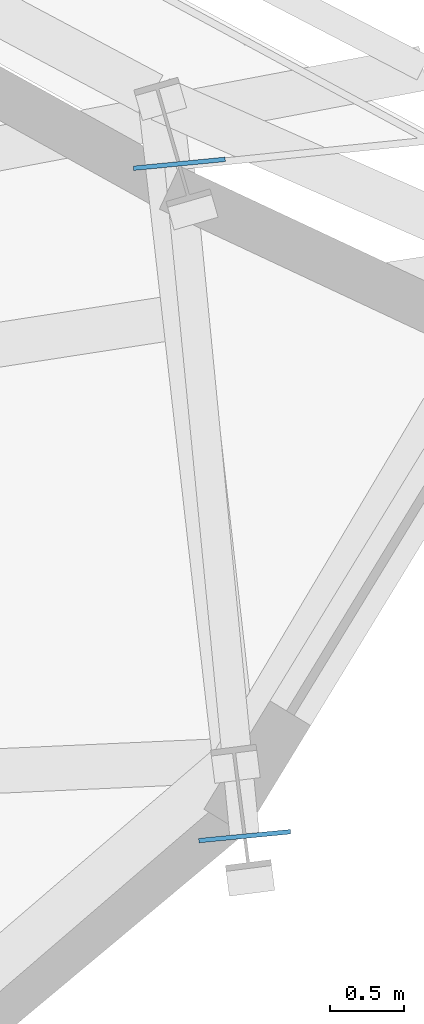
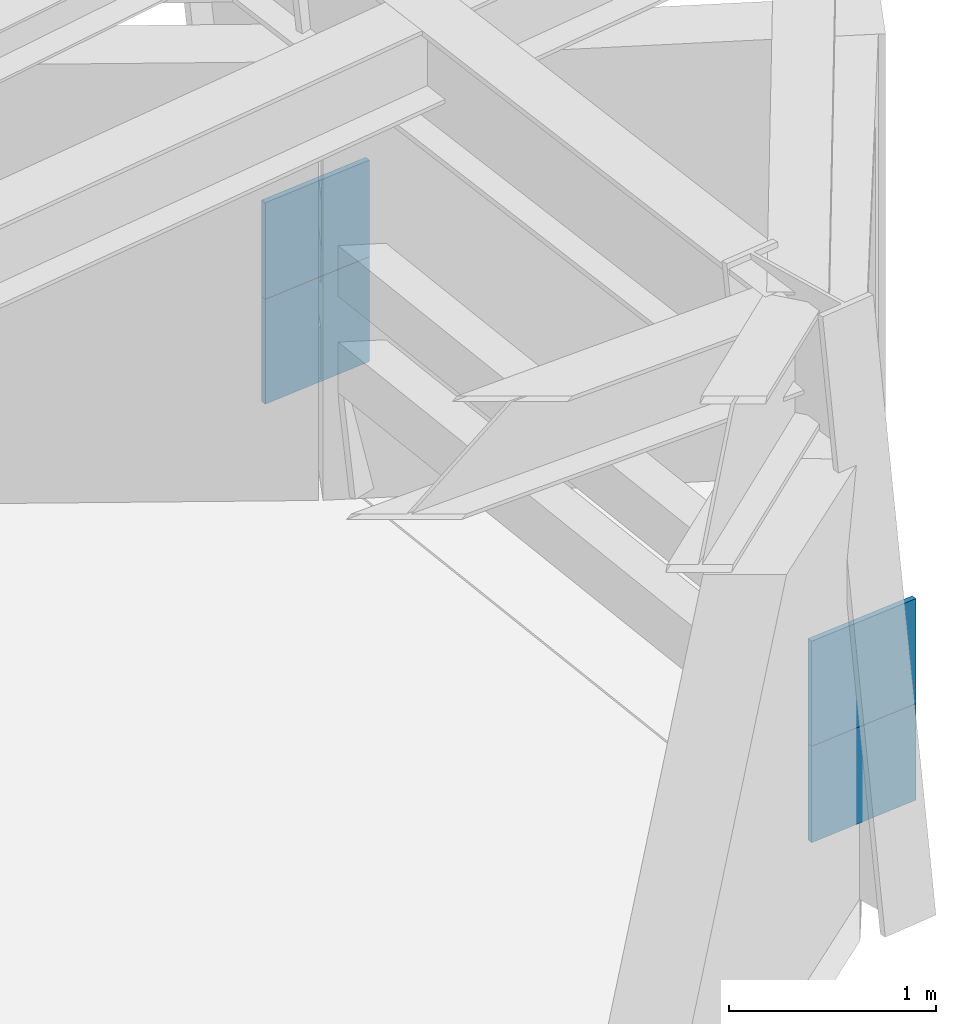
# One storey, part 13 of 22: 4 plates.
"""IFC4 building model written with IfcOpenShell, lengths in metres."""

from ifc_helpers import new_model, si_unit, direction, frame, origin, origin_2d, place, context, subcontext, project, spatial, rectangle, extrude, source, transform, mapped, material, type_object, element, save


model = new_model("IFC4")

# Units and contexts
model_context = context("Model", 3, precision=1e-05, world=origin(), true_north=direction((0.0, 1.0)))
body_context = subcontext(model_context, "Body", "Model", "MODEL_VIEW")
ifc_project = project(units=[si_unit("LENGTHUNIT", "METRE"), si_unit("AREAUNIT", "SQUARE_METRE"), si_unit("VOLUMEUNIT", "CUBIC_METRE"), si_unit("PLANEANGLEUNIT", "RADIAN"), si_unit("MASSUNIT", "GRAM", prefix="KILO")], contexts=[model_context])

# Site, building, storey
site_placement = place(None, origin())
site = spatial("IfcSite", under=ifc_project, at=site_placement, CompositionType="ELEMENT")
building_placement = place(site_placement, origin())
building = spatial("IfcBuilding", under=site, at=building_placement, Name="Olszyna Solenne Hotel", CompositionType="ELEMENT")
storey_placement = place(building_placement, frame((0.0, 0.0, 57.699951171875)))
storey = spatial("IfcBuildingStorey", under=building, at=storey_placement, Name="L14", CompositionType="ELEMENT", Elevation=57.699951171875)

# Plates
ifc_material = material(Name="Steel S460M", Category="steel")
plate_type = type_object("IfcPlateType", Name="GP-CAP2", PredefinedType="USERDEFINED", material=ifc_material)
shared_shape = source(origin(), body_context, "Body", "SweptSolid", [
    extrude(rectangle(XDim=0.030029296875, YDim=0.6201171875, at=origin_2d()), origin(), (0.0, 0.0, 1.0), 0.6201171875),
])
for number, where, z_axis, x_axis, name in (
    (1, (68.694580078125, 27.46875, 1.0400390625), (0.0, 0.0, 1.0), (-0.096714362966, 0.995312178161, 0.0), "Hollow section end-cap plate GP-CAP2 CP-PR-M-L14-PR1-1"),
    (2, (68.2548828125, 31.993896484375, 1.0400390625), (0.0, 0.0, 1.0), (-0.096714362966, 0.995312178161, 0.0), "Hollow section end-cap plate GP-CAP2 CP-PR-M-L14-PR1-2"),
    (3, (68.694580078125, 27.46875, 0.469970703125), (0.0, 0.0, 1.0), (-0.096714362966, 0.995312178161, 0.0), "Hollow section end-cap plate GP-CAP2 CP-PR-M-L14-PR2-1"),
    (4, (68.2548828125, 31.993896484375, 0.469970703125), (0.0, 0.0, 1.0), (-0.096714362966, 0.995312178161, 0.0), "Hollow section end-cap plate GP-CAP2 CP-PR-M-L14-PR2-2"),
):
    element("IfcPlate", number, at=place(storey_placement, frame(where, z_axis=z_axis, x_axis=x_axis)), inside=storey, type_object=plate_type, Name=name, ObjectType="GUSSET_PLATE", PredefinedType="USERDEFINED", context=body_context, shape_type="MappedRepresentation", body=[
        mapped(shared_shape, transform((0.0, 0.0, 0.0), x_axis=(1.0, 0.0, 0.0), y_axis=(0.0, 1.0, 0.0), z_axis=(0.0, 0.0, 1.0), scale=1.0)),
    ])

save(model, "model.ifc")
